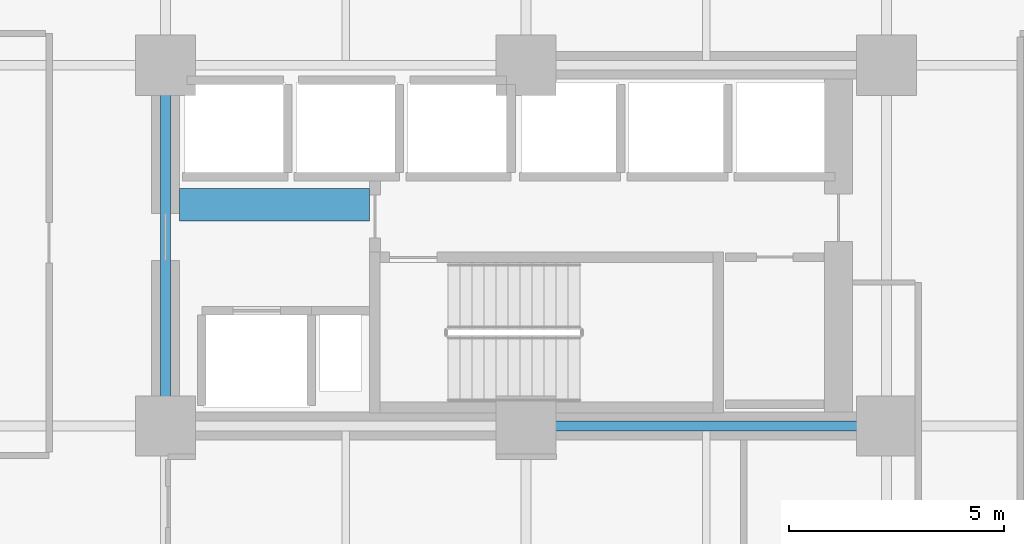
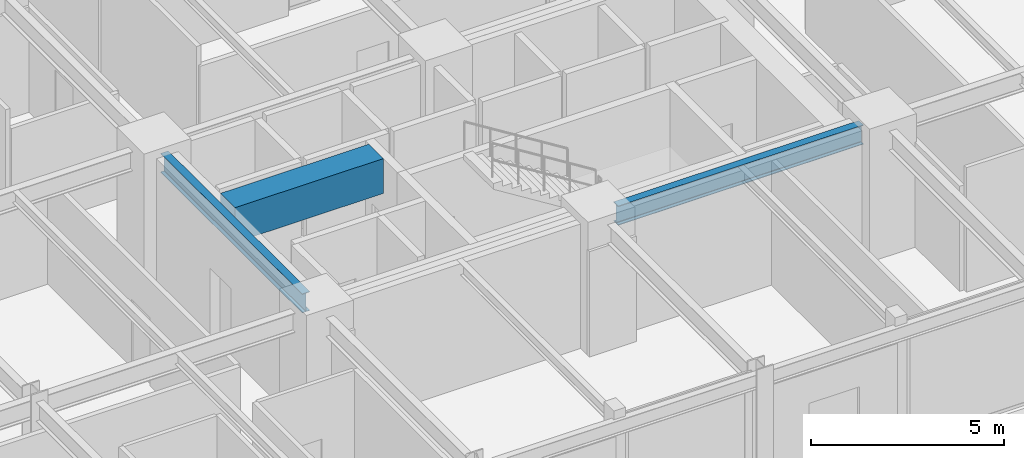
# One storey, part 5 of 25: 3 beams.
"""IFC4 building model written with IfcOpenShell, lengths in metres."""

from ifc_helpers import new_model, si_unit, direction, frame, origin, origin_2d, place, context, subcontext, project, spatial, rectangle, i_section, extrude, material, material_profile, profile_set, type_object, element, save


model = new_model("IFC4")

# Units and contexts
model_context = context("Model", 3, precision=1e-05, world=origin(), true_north=direction((0.0, 1.0)))
body_context = subcontext(model_context, "Body", "Model", "MODEL_VIEW")
ifc_project = project(units=[si_unit("LENGTHUNIT", "METRE"), si_unit("AREAUNIT", "SQUARE_METRE"), si_unit("VOLUMEUNIT", "CUBIC_METRE"), si_unit("PLANEANGLEUNIT", "RADIAN"), si_unit("MASSUNIT", "GRAM", prefix="KILO")], contexts=[model_context])

# Site, building, storey
site_placement = place(None, origin())
site = spatial("IfcSite", under=ifc_project, at=site_placement, CompositionType="ELEMENT")
building_placement = place(site_placement, origin())
building = spatial("IfcBuilding", under=site, at=building_placement, Name="Nerrivon Quay Data Exchange", CompositionType="ELEMENT")
storey_placement = place(building_placement, frame((0.0, 0.0, 41.60009765625)))
storey = spatial("IfcBuildingStorey", under=building, at=storey_placement, Name="L09", CompositionType="ELEMENT", Elevation=41.60009765625)

# Beams
ifc_material_1 = material(Name="Concrete S65 (65 MPa)", Category="concrete")
ifc_material_profile_1 = material_profile(ifc_material_1, rectangle(XDim=0.75, YDim=1.10009765625, at=origin_2d()), Name="RC-CB-750x1100")
ifc_profile_set_1 = profile_set([ifc_material_profile_1], Name="Concrete S65 (65 MPa)")
beam_type_1 = type_object("IfcBeamType", Name="BM-CB1-750x1100", PredefinedType="LINTEL", material=ifc_profile_set_1)
beam_1_placement = place(storey_placement, frame((17.125, 13.550048828125, 3.375), z_axis=(1.0, 0.0, 0.0), x_axis=(0.0, 1.0, 0.0)))
element("IfcBeam", 1, at=beam_1_placement, inside=storey, type_object=beam_type_1, Name="L09 East Core Coupling Beam", PredefinedType="LINTEL", context=body_context, shape_type="SweptSolid", body=[
    extrude(rectangle(XDim=0.75, YDim=1.10009765625, at=origin_2d()), origin(), (0.0, 0.0, 1.0), 4.429931640625),
])
ifc_material_2 = material(Name="Steel Grade 350", Category="steel")
ifc_material_profile_2 = material_profile(ifc_material_2, i_section(OverallWidth=0.22900390625, OverallDepth=0.612060546875, WebThickness=0.011962890625, FlangeThickness=0.01953125, FilletRadius=0.013916015625, at=origin_2d()), Name="610UB125")
ifc_profile_set_2 = profile_set([ifc_material_profile_2], Name="Steel Grade 350")
beam_type_2 = type_object("IfcBeamType", Name="BM-G1-610UB125", PredefinedType="BEAM", material=ifc_profile_set_2)
beam_2_placement = place(storey_placement, frame((25.739990234375, 8.39990234375, 3.618896484375), z_axis=(1.0, 0.0, 0.0), x_axis=(0.0, 1.0, 0.0)))
element("IfcBeam", 2, at=beam_2_placement, inside=storey, type_object=beam_type_2, Name="L09 EW Girder Y=8.4 (25.2..33.6)", PredefinedType="BEAM", context=body_context, shape_type="SweptSolid", body=[
    extrude(i_section(OverallWidth=0.22900390625, OverallDepth=0.612060546875, WebThickness=0.011962890625, FlangeThickness=0.01953125, FilletRadius=0.013916015625, at=origin_2d()), origin(), (0.0, 0.0, 1.0), 7.320068359375),
])
ifc_material_profile_3 = material_profile(ifc_material_2, i_section(OverallWidth=0.22802734375, OverallDepth=0.60205078125, WebThickness=0.010498046875, FlangeThickness=0.014892578125, FilletRadius=0.013916015625, at=origin_2d()), Name="610UB101")
ifc_profile_set_3 = profile_set([ifc_material_profile_3], Name="Steel Grade 350")
beam_type_3 = type_object("IfcBeamType", Name="BM-G2-610UB101", PredefinedType="BEAM", material=ifc_profile_set_3)
beam_3_placement = place(storey_placement, frame((16.800048828125, 8.93994140625, 3.6240234375), z_axis=(0.0, 1.0, 0.0), x_axis=(-1.0, 0.0, 0.0)))
element("IfcBeam", 3, at=beam_3_placement, inside=storey, type_object=beam_type_3, Name="L09 NS Girder X=16.8 (8.4..16.8)", PredefinedType="BEAM", context=body_context, shape_type="SweptSolid", body=[
    extrude(i_section(OverallWidth=0.22802734375, OverallDepth=0.60205078125, WebThickness=0.010498046875, FlangeThickness=0.014892578125, FilletRadius=0.013916015625, at=origin_2d()), origin(), (0.0, 0.0, 1.0), 7.320068359375),
])

save(model, "model.ifc")
